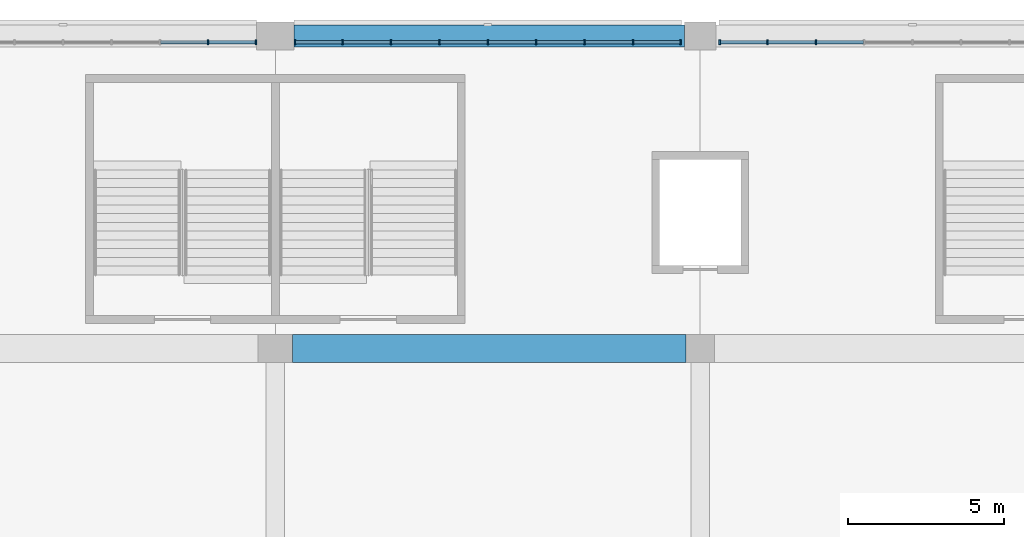
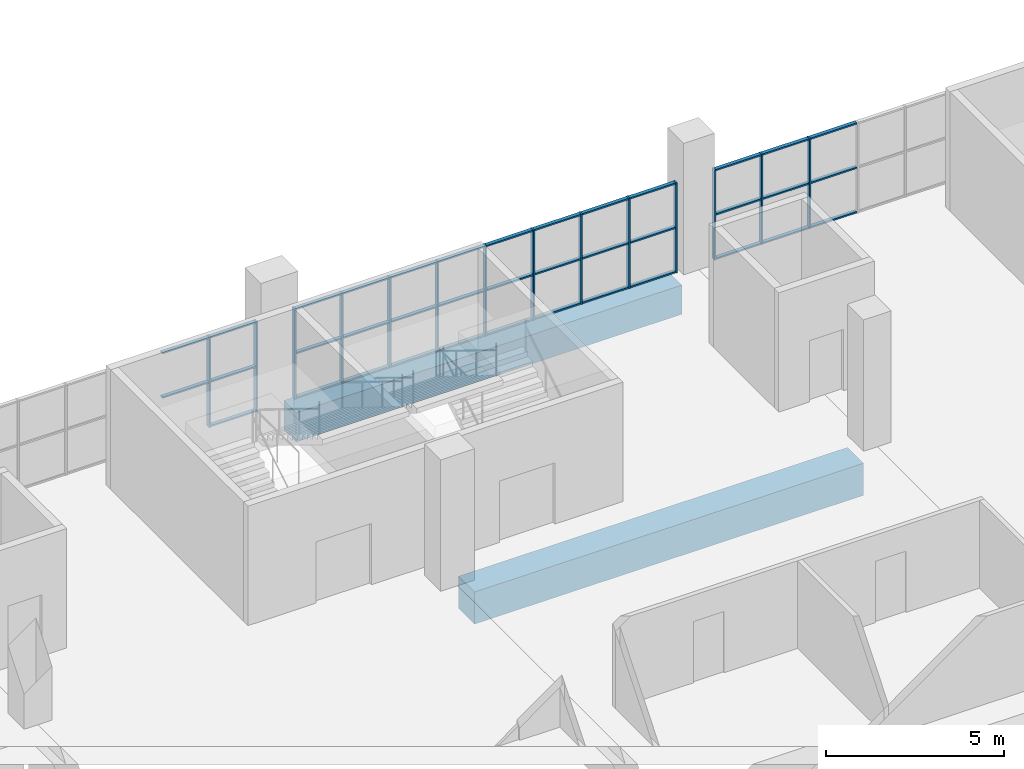
# One storey, part 45 of 199: 52 members, 2 beams, 3 elements without a shape of their own.
"""IFC4 building model written with IfcOpenShell, lengths in metres."""

from ifc_helpers import new_model, si_unit, direction, frame, origin, origin_2d, place, context, subcontext, project, spatial, rectangle, extrude, material, material_profile, profile_set, type_object, element, aggregate, save


model = new_model("IFC4")

# Units and contexts
model_context = context("Model", 3, precision=1e-05, world=origin(), true_north=direction((0.0, 1.0)))
body_context = subcontext(model_context, "Body", "Model", "MODEL_VIEW")
ifc_project = project(units=[si_unit("LENGTHUNIT", "METRE"), si_unit("AREAUNIT", "SQUARE_METRE"), si_unit("VOLUMEUNIT", "CUBIC_METRE"), si_unit("PLANEANGLEUNIT", "RADIAN"), si_unit("MASSUNIT", "GRAM", prefix="KILO")], contexts=[model_context])

# Site, building, storey
site_placement = place(None, origin())
site = spatial("IfcSite", under=ifc_project, at=site_placement, CompositionType="ELEMENT")
building_placement = place(site_placement, origin())
building = spatial("IfcBuilding", under=site, at=building_placement, Name="Ogive Plaza Stadium", CompositionType="ELEMENT")
storey_placement = place(building_placement, frame((0.0, 0.0, 4.5)))
storey = spatial("IfcBuildingStorey", under=building, at=storey_placement, Name="L01", CompositionType="ELEMENT", Elevation=4.5)

# Curtain wall, members
ifc_material_1 = material(Name="Bronze-anodised aluminium with laminated glass", Category="aluminium")
curtain_wall_type = type_object("IfcCurtainWallType", Name="Lancet curtain wall", PredefinedType="NOTDEFINED", material=ifc_material_1)
curtain_wall_1_placement = place(storey_placement, origin())
curtain_wall_1 = element("IfcCurtainWall", 1, at=curtain_wall_1_placement, inside=storey, type_object=curtain_wall_type, Name="CURTAIN WALL B33 L01", PredefinedType="NOTDEFINED")
ifc_material_2 = material(Name="Bronze-anodised aluminium", Category="aluminium")
ifc_material_profile_1 = material_profile(ifc_material_2, rectangle(XDim=0.14990234375, YDim=0.050048828125, at=origin_2d()), Name="AL 150x50")
ifc_profile_set_1 = profile_set([ifc_material_profile_1], Name="Bronze-anodised aluminium")
member_type_1 = type_object("IfcMemberType", Name="Curtain wall mullion 50x150", PredefinedType="MULLION", material=ifc_profile_set_1)
member_1_placement = place(storey_placement, frame((-8.949951171875, 102.300048828125, 0.0), z_axis=(0.0, 0.0, 1.0), x_axis=(0.0, 1.0, 0.0)))
member_1 = element("IfcMember", 2, at=member_1_placement, type_object=member_type_1, Name="CW-B33-L01 mullion 8", PredefinedType="MULLION", context=body_context, shape_type="SweptSolid", body=[
    extrude(rectangle(XDim=0.14990234375, YDim=0.050048828125, at=origin_2d()), origin(), (0.0, 0.0, 1.0), 3.090087890625),
])
member_2_placement = place(storey_placement, frame((-7.425048828125, 102.300048828125, 0.0), z_axis=(0.0, 0.0, 1.0), x_axis=(0.0, 1.0, 0.0)))
member_2 = element("IfcMember", 3, at=member_2_placement, type_object=member_type_1, Name="CW-B33-L01 mullion 9", PredefinedType="MULLION", context=body_context, shape_type="SweptSolid", body=[
    extrude(rectangle(XDim=0.14990234375, YDim=0.050048828125, at=origin_2d()), origin(), (0.0, 0.0, 1.0), 3.090087890625),
])

curtain_wall_2_placement = place(storey_placement, origin())
curtain_wall_2 = element("IfcCurtainWall", 4, at=curtain_wall_2_placement, inside=storey, type_object=curtain_wall_type, Name="CURTAIN WALL B34 L01", PredefinedType="NOTDEFINED")
member_3_placement = place(storey_placement, frame((-6.175048828125, 102.300048828125, 0.0), z_axis=(0.0, 0.0, 1.0), x_axis=(0.0, 1.0, 0.0)))
member_3 = element("IfcMember", 5, at=member_3_placement, type_object=member_type_1, Name="CW-B34-L01 mullion 1", PredefinedType="MULLION", context=body_context, shape_type="SweptSolid", body=[
    extrude(rectangle(XDim=0.14990234375, YDim=0.050048828125, at=origin_2d()), origin(), (0.0, 0.0, 1.0), 3.090087890625),
])
member_4_placement = place(storey_placement, frame((-4.64990234375, 102.300048828125, 0.0), z_axis=(0.0, 0.0, 1.0), x_axis=(0.0, 1.0, 0.0)))
member_4 = element("IfcMember", 6, at=member_4_placement, type_object=member_type_1, Name="CW-B34-L01 mullion 2", PredefinedType="MULLION", context=body_context, shape_type="SweptSolid", body=[
    extrude(rectangle(XDim=0.14990234375, YDim=0.050048828125, at=origin_2d()), origin(), (0.0, 0.0, 1.0), 3.090087890625),
])
member_5_placement = place(storey_placement, frame((-3.10009765625, 102.300048828125, 0.0), z_axis=(0.0, 0.0, 1.0), x_axis=(0.0, 1.0, 0.0)))
member_5 = element("IfcMember", 7, at=member_5_placement, type_object=member_type_1, Name="CW-B34-L01 mullion 3", PredefinedType="MULLION", context=body_context, shape_type="SweptSolid", body=[
    extrude(rectangle(XDim=0.14990234375, YDim=0.050048828125, at=origin_2d()), origin(), (0.0, 0.0, 1.0), 3.090087890625),
])
member_6_placement = place(storey_placement, frame((-1.550048828125, 102.300048828125, 0.0), z_axis=(0.0, 0.0, 1.0), x_axis=(0.0, 1.0, 0.0)))
member_6 = element("IfcMember", 8, at=member_6_placement, type_object=member_type_1, Name="CW-B34-L01 mullion 4", PredefinedType="MULLION", context=body_context, shape_type="SweptSolid", body=[
    extrude(rectangle(XDim=0.14990234375, YDim=0.050048828125, at=origin_2d()), origin(), (0.0, 0.0, 1.0), 3.090087890625),
])
member_7_placement = place(storey_placement, frame((0.0, 102.300048828125, 0.0), z_axis=(0.0, 0.0, 1.0), x_axis=(0.0, 1.0, 0.0)))
member_7 = element("IfcMember", 9, at=member_7_placement, type_object=member_type_1, Name="CW-B34-L01 mullion 5", PredefinedType="MULLION", context=body_context, shape_type="SweptSolid", body=[
    extrude(rectangle(XDim=0.14990234375, YDim=0.050048828125, at=origin_2d()), origin(), (0.0, 0.0, 1.0), 3.090087890625),
])
member_8_placement = place(storey_placement, frame((1.550048828125, 102.300048828125, 0.0), z_axis=(0.0, 0.0, 1.0), x_axis=(0.0, 1.0, 0.0)))
member_8 = element("IfcMember", 10, at=member_8_placement, type_object=member_type_1, Name="CW-B34-L01 mullion 6", PredefinedType="MULLION", context=body_context, shape_type="SweptSolid", body=[
    extrude(rectangle(XDim=0.14990234375, YDim=0.050048828125, at=origin_2d()), origin(), (0.0, 0.0, 1.0), 3.090087890625),
])
member_9_placement = place(storey_placement, frame((3.10009765625, 102.300048828125, 0.0), z_axis=(0.0, 0.0, 1.0), x_axis=(0.0, 1.0, 0.0)))
member_9 = element("IfcMember", 11, at=member_9_placement, type_object=member_type_1, Name="CW-B34-L01 mullion 7", PredefinedType="MULLION", context=body_context, shape_type="SweptSolid", body=[
    extrude(rectangle(XDim=0.14990234375, YDim=0.050048828125, at=origin_2d()), origin(), (0.0, 0.0, 1.0), 3.090087890625),
])
member_10_placement = place(storey_placement, frame((4.64990234375, 102.300048828125, 0.0), z_axis=(0.0, 0.0, 1.0), x_axis=(0.0, 1.0, 0.0)))
member_10 = element("IfcMember", 12, at=member_10_placement, type_object=member_type_1, Name="CW-B34-L01 mullion 8", PredefinedType="MULLION", context=body_context, shape_type="SweptSolid", body=[
    extrude(rectangle(XDim=0.14990234375, YDim=0.050048828125, at=origin_2d()), origin(), (0.0, 0.0, 1.0), 3.090087890625),
])
member_11_placement = place(storey_placement, frame((6.175048828125, 102.300048828125, 0.0), z_axis=(0.0, 0.0, 1.0), x_axis=(0.0, 1.0, 0.0)))
member_11 = element("IfcMember", 13, at=member_11_placement, type_object=member_type_1, Name="CW-B34-L01 mullion 9", PredefinedType="MULLION", context=body_context, shape_type="SweptSolid", body=[
    extrude(rectangle(XDim=0.14990234375, YDim=0.050048828125, at=origin_2d()), origin(), (0.0, 0.0, 1.0), 3.090087890625),
])

curtain_wall_3_placement = place(storey_placement, origin())
curtain_wall_3 = element("IfcCurtainWall", 14, at=curtain_wall_3_placement, inside=storey, type_object=curtain_wall_type, Name="CURTAIN WALL B35 L01", PredefinedType="NOTDEFINED")
member_12_placement = place(storey_placement, frame((7.425048828125, 102.300048828125, 0.0), z_axis=(0.0, 0.0, 1.0), x_axis=(0.0, 1.0, 0.0)))
member_12 = element("IfcMember", 15, at=member_12_placement, type_object=member_type_1, Name="CW-B35-L01 mullion 1", PredefinedType="MULLION", context=body_context, shape_type="SweptSolid", body=[
    extrude(rectangle(XDim=0.14990234375, YDim=0.050048828125, at=origin_2d()), origin(), (0.0, 0.0, 1.0), 3.090087890625),
])
member_13_placement = place(storey_placement, frame((8.949951171875, 102.300048828125, 0.0), z_axis=(0.0, 0.0, 1.0), x_axis=(0.0, 1.0, 0.0)))
member_13 = element("IfcMember", 16, at=member_13_placement, type_object=member_type_1, Name="CW-B35-L01 mullion 2", PredefinedType="MULLION", context=body_context, shape_type="SweptSolid", body=[
    extrude(rectangle(XDim=0.14990234375, YDim=0.050048828125, at=origin_2d()), origin(), (0.0, 0.0, 1.0), 3.090087890625),
])
member_14_placement = place(storey_placement, frame((10.5, 102.300048828125, 0.0), z_axis=(0.0, 0.0, 1.0), x_axis=(0.0, 1.0, 0.0)))
member_14 = element("IfcMember", 17, at=member_14_placement, type_object=member_type_1, Name="CW-B35-L01 mullion 3", PredefinedType="MULLION", context=body_context, shape_type="SweptSolid", body=[
    extrude(rectangle(XDim=0.14990234375, YDim=0.050048828125, at=origin_2d()), origin(), (0.0, 0.0, 1.0), 3.090087890625),
])

# Member
ifc_material_3 = material(Name="Bronze-anodised aluminium", Category="aluminium")
ifc_material_profile_2 = material_profile(ifc_material_3, rectangle(XDim=0.1201171875, YDim=0.050048828125, at=origin_2d()), Name="AL 120x50")
ifc_profile_set_2 = profile_set([ifc_material_profile_2], Name="Bronze-anodised aluminium")
member_type_2 = type_object("IfcMemberType", Name="Curtain wall transom 50x120", PredefinedType="USERDEFINED", material=ifc_profile_set_2)
member_15_placement = place(storey_placement, frame((-10.47509765625, 102.300048828125, 1.544921875), z_axis=(1.0, 0.0, 0.0), x_axis=(0.0, 1.0, 0.0)))
member_15 = element("IfcMember", 18, at=member_15_placement, type_object=member_type_2, Name="CW-B33-L01 transom 7.2", ObjectType="TRANSOM", PredefinedType="USERDEFINED", context=body_context, shape_type="SweptSolid", body=[
    extrude(rectangle(XDim=0.1201171875, YDim=0.050048828125, at=origin_2d()), origin(), (0.0, 0.0, 1.0), 1.5),
])

member_16_placement = place(storey_placement, frame((-10.47509765625, 102.300048828125, 3.06494140625), z_axis=(1.0, 0.0, 0.0), x_axis=(0.0, 1.0, 0.0)))
member_16 = element("IfcMember", 19, at=member_16_placement, type_object=member_type_2, Name="CW-B33-L01 transom 7.3", ObjectType="TRANSOM", PredefinedType="USERDEFINED", context=body_context, shape_type="SweptSolid", body=[
    extrude(rectangle(XDim=0.1201171875, YDim=0.050048828125, at=origin_2d()), origin(), (0.0, 0.0, 1.0), 1.5),
])

member_17_placement = place(storey_placement, frame((-8.925048828125, 102.300048828125, 0.02490234375), z_axis=(1.0, 0.0, 0.0), x_axis=(0.0, 1.0, 0.0)))
member_17 = element("IfcMember", 20, at=member_17_placement, type_object=member_type_2, Name="CW-B33-L01 transom 8.1", ObjectType="TRANSOM", PredefinedType="USERDEFINED", context=body_context, shape_type="SweptSolid", body=[
    extrude(rectangle(XDim=0.1201171875, YDim=0.050048828125, at=origin_2d()), origin(), (0.0, 0.0, 1.0), 1.47509765625),
])

member_18_placement = place(storey_placement, frame((-8.925048828125, 102.300048828125, 1.544921875), z_axis=(1.0, 0.0, 0.0), x_axis=(0.0, 1.0, 0.0)))
member_18 = element("IfcMember", 21, at=member_18_placement, type_object=member_type_2, Name="CW-B33-L01 transom 8.2", ObjectType="TRANSOM", PredefinedType="USERDEFINED", context=body_context, shape_type="SweptSolid", body=[
    extrude(rectangle(XDim=0.1201171875, YDim=0.050048828125, at=origin_2d()), origin(), (0.0, 0.0, 1.0), 1.47509765625),
])

member_19_placement = place(storey_placement, frame((-8.925048828125, 102.300048828125, 3.06494140625), z_axis=(1.0, 0.0, 0.0), x_axis=(0.0, 1.0, 0.0)))
member_19 = element("IfcMember", 22, at=member_19_placement, type_object=member_type_2, Name="CW-B33-L01 transom 8.3", ObjectType="TRANSOM", PredefinedType="USERDEFINED", context=body_context, shape_type="SweptSolid", body=[
    extrude(rectangle(XDim=0.1201171875, YDim=0.050048828125, at=origin_2d()), origin(), (0.0, 0.0, 1.0), 1.47509765625),
])

aggregate(curtain_wall_1, [member_1, member_2, member_15, member_16, member_17, member_18, member_19])

member_20_placement = place(storey_placement, frame((-6.14990234375, 102.300048828125, 0.02490234375), z_axis=(1.0, 0.0, 0.0), x_axis=(0.0, 1.0, 0.0)))
member_20 = element("IfcMember", 23, at=member_20_placement, type_object=member_type_2, Name="CW-B34-L01 transom 1.1", ObjectType="TRANSOM", PredefinedType="USERDEFINED", context=body_context, shape_type="SweptSolid", body=[
    extrude(rectangle(XDim=0.1201171875, YDim=0.050048828125, at=origin_2d()), origin(), (0.0, 0.0, 1.0), 1.474853515625),
])

member_21_placement = place(storey_placement, frame((-6.14990234375, 102.300048828125, 1.544921875), z_axis=(1.0, 0.0, 0.0), x_axis=(0.0, 1.0, 0.0)))
member_21 = element("IfcMember", 24, at=member_21_placement, type_object=member_type_2, Name="CW-B34-L01 transom 1.2", ObjectType="TRANSOM", PredefinedType="USERDEFINED", context=body_context, shape_type="SweptSolid", body=[
    extrude(rectangle(XDim=0.1201171875, YDim=0.050048828125, at=origin_2d()), origin(), (0.0, 0.0, 1.0), 1.474853515625),
])

member_22_placement = place(storey_placement, frame((-6.14990234375, 102.300048828125, 3.06494140625), z_axis=(1.0, 0.0, 0.0), x_axis=(0.0, 1.0, 0.0)))
member_22 = element("IfcMember", 25, at=member_22_placement, type_object=member_type_2, Name="CW-B34-L01 transom 1.3", ObjectType="TRANSOM", PredefinedType="USERDEFINED", context=body_context, shape_type="SweptSolid", body=[
    extrude(rectangle(XDim=0.1201171875, YDim=0.050048828125, at=origin_2d()), origin(), (0.0, 0.0, 1.0), 1.474853515625),
])

member_23_placement = place(storey_placement, frame((-4.625, 102.300048828125, 0.02490234375), z_axis=(1.0, 0.0, 0.0), x_axis=(0.0, 1.0, 0.0)))
member_23 = element("IfcMember", 26, at=member_23_placement, type_object=member_type_2, Name="CW-B34-L01 transom 2.1", ObjectType="TRANSOM", PredefinedType="USERDEFINED", context=body_context, shape_type="SweptSolid", body=[
    extrude(rectangle(XDim=0.1201171875, YDim=0.050048828125, at=origin_2d()), origin(), (0.0, 0.0, 1.0), 1.5),
])

member_24_placement = place(storey_placement, frame((-4.625, 102.300048828125, 1.544921875), z_axis=(1.0, 0.0, 0.0), x_axis=(0.0, 1.0, 0.0)))
member_24 = element("IfcMember", 27, at=member_24_placement, type_object=member_type_2, Name="CW-B34-L01 transom 2.2", ObjectType="TRANSOM", PredefinedType="USERDEFINED", context=body_context, shape_type="SweptSolid", body=[
    extrude(rectangle(XDim=0.1201171875, YDim=0.050048828125, at=origin_2d()), origin(), (0.0, 0.0, 1.0), 1.5),
])

member_25_placement = place(storey_placement, frame((-4.625, 102.300048828125, 3.06494140625), z_axis=(1.0, 0.0, 0.0), x_axis=(0.0, 1.0, 0.0)))
member_25 = element("IfcMember", 28, at=member_25_placement, type_object=member_type_2, Name="CW-B34-L01 transom 2.3", ObjectType="TRANSOM", PredefinedType="USERDEFINED", context=body_context, shape_type="SweptSolid", body=[
    extrude(rectangle(XDim=0.1201171875, YDim=0.050048828125, at=origin_2d()), origin(), (0.0, 0.0, 1.0), 1.5),
])

member_26_placement = place(storey_placement, frame((-3.074951171875, 102.300048828125, 0.02490234375), z_axis=(1.0, 0.0, 0.0), x_axis=(0.0, 1.0, 0.0)))
member_26 = element("IfcMember", 29, at=member_26_placement, type_object=member_type_2, Name="CW-B34-L01 transom 3.1", ObjectType="TRANSOM", PredefinedType="USERDEFINED", context=body_context, shape_type="SweptSolid", body=[
    extrude(rectangle(XDim=0.1201171875, YDim=0.050048828125, at=origin_2d()), origin(), (0.0, 0.0, 1.0), 1.5),
])

member_27_placement = place(storey_placement, frame((-3.074951171875, 102.300048828125, 1.544921875), z_axis=(1.0, 0.0, 0.0), x_axis=(0.0, 1.0, 0.0)))
member_27 = element("IfcMember", 30, at=member_27_placement, type_object=member_type_2, Name="CW-B34-L01 transom 3.2", ObjectType="TRANSOM", PredefinedType="USERDEFINED", context=body_context, shape_type="SweptSolid", body=[
    extrude(rectangle(XDim=0.1201171875, YDim=0.050048828125, at=origin_2d()), origin(), (0.0, 0.0, 1.0), 1.5),
])

member_28_placement = place(storey_placement, frame((-3.074951171875, 102.300048828125, 3.06494140625), z_axis=(1.0, 0.0, 0.0), x_axis=(0.0, 1.0, 0.0)))
member_28 = element("IfcMember", 31, at=member_28_placement, type_object=member_type_2, Name="CW-B34-L01 transom 3.3", ObjectType="TRANSOM", PredefinedType="USERDEFINED", context=body_context, shape_type="SweptSolid", body=[
    extrude(rectangle(XDim=0.1201171875, YDim=0.050048828125, at=origin_2d()), origin(), (0.0, 0.0, 1.0), 1.5),
])

member_29_placement = place(storey_placement, frame((-1.52490234375, 102.300048828125, 0.02490234375), z_axis=(1.0, 0.0, 0.0), x_axis=(0.0, 1.0, 0.0)))
member_29 = element("IfcMember", 32, at=member_29_placement, type_object=member_type_2, Name="CW-B34-L01 transom 4.1", ObjectType="TRANSOM", PredefinedType="USERDEFINED", context=body_context, shape_type="SweptSolid", body=[
    extrude(rectangle(XDim=0.1201171875, YDim=0.050048828125, at=origin_2d()), origin(), (0.0, 0.0, 1.0), 1.5),
])

member_30_placement = place(storey_placement, frame((-1.52490234375, 102.300048828125, 1.544921875), z_axis=(1.0, 0.0, 0.0), x_axis=(0.0, 1.0, 0.0)))
member_30 = element("IfcMember", 33, at=member_30_placement, type_object=member_type_2, Name="CW-B34-L01 transom 4.2", ObjectType="TRANSOM", PredefinedType="USERDEFINED", context=body_context, shape_type="SweptSolid", body=[
    extrude(rectangle(XDim=0.1201171875, YDim=0.050048828125, at=origin_2d()), origin(), (0.0, 0.0, 1.0), 1.5),
])

member_31_placement = place(storey_placement, frame((-1.52490234375, 102.300048828125, 3.06494140625), z_axis=(1.0, 0.0, 0.0), x_axis=(0.0, 1.0, 0.0)))
member_31 = element("IfcMember", 34, at=member_31_placement, type_object=member_type_2, Name="CW-B34-L01 transom 4.3", ObjectType="TRANSOM", PredefinedType="USERDEFINED", context=body_context, shape_type="SweptSolid", body=[
    extrude(rectangle(XDim=0.1201171875, YDim=0.050048828125, at=origin_2d()), origin(), (0.0, 0.0, 1.0), 1.5),
])

member_32_placement = place(storey_placement, frame((0.02490234375, 102.300048828125, 0.02490234375), z_axis=(1.0, 0.0, 0.0), x_axis=(0.0, 1.0, 0.0)))
member_32 = element("IfcMember", 35, at=member_32_placement, type_object=member_type_2, Name="CW-B34-L01 transom 5.1", ObjectType="TRANSOM", PredefinedType="USERDEFINED", context=body_context, shape_type="SweptSolid", body=[
    extrude(rectangle(XDim=0.1201171875, YDim=0.050048828125, at=origin_2d()), origin(), (0.0, 0.0, 1.0), 1.5),
])

member_33_placement = place(storey_placement, frame((0.02490234375, 102.300048828125, 1.544921875), z_axis=(1.0, 0.0, 0.0), x_axis=(0.0, 1.0, 0.0)))
member_33 = element("IfcMember", 36, at=member_33_placement, type_object=member_type_2, Name="CW-B34-L01 transom 5.2", ObjectType="TRANSOM", PredefinedType="USERDEFINED", context=body_context, shape_type="SweptSolid", body=[
    extrude(rectangle(XDim=0.1201171875, YDim=0.050048828125, at=origin_2d()), origin(), (0.0, 0.0, 1.0), 1.5),
])

member_34_placement = place(storey_placement, frame((0.02490234375, 102.300048828125, 3.06494140625), z_axis=(1.0, 0.0, 0.0), x_axis=(0.0, 1.0, 0.0)))
member_34 = element("IfcMember", 37, at=member_34_placement, type_object=member_type_2, Name="CW-B34-L01 transom 5.3", ObjectType="TRANSOM", PredefinedType="USERDEFINED", context=body_context, shape_type="SweptSolid", body=[
    extrude(rectangle(XDim=0.1201171875, YDim=0.050048828125, at=origin_2d()), origin(), (0.0, 0.0, 1.0), 1.5),
])

member_35_placement = place(storey_placement, frame((1.574951171875, 102.300048828125, 0.02490234375), z_axis=(1.0, 0.0, 0.0), x_axis=(0.0, 1.0, 0.0)))
member_35 = element("IfcMember", 38, at=member_35_placement, type_object=member_type_2, Name="CW-B34-L01 transom 6.1", ObjectType="TRANSOM", PredefinedType="USERDEFINED", context=body_context, shape_type="SweptSolid", body=[
    extrude(rectangle(XDim=0.1201171875, YDim=0.050048828125, at=origin_2d()), origin(), (0.0, 0.0, 1.0), 1.5),
])

member_36_placement = place(storey_placement, frame((1.574951171875, 102.300048828125, 1.544921875), z_axis=(1.0, 0.0, 0.0), x_axis=(0.0, 1.0, 0.0)))
member_36 = element("IfcMember", 39, at=member_36_placement, type_object=member_type_2, Name="CW-B34-L01 transom 6.2", ObjectType="TRANSOM", PredefinedType="USERDEFINED", context=body_context, shape_type="SweptSolid", body=[
    extrude(rectangle(XDim=0.1201171875, YDim=0.050048828125, at=origin_2d()), origin(), (0.0, 0.0, 1.0), 1.5),
])

member_37_placement = place(storey_placement, frame((1.574951171875, 102.300048828125, 3.06494140625), z_axis=(1.0, 0.0, 0.0), x_axis=(0.0, 1.0, 0.0)))
member_37 = element("IfcMember", 40, at=member_37_placement, type_object=member_type_2, Name="CW-B34-L01 transom 6.3", ObjectType="TRANSOM", PredefinedType="USERDEFINED", context=body_context, shape_type="SweptSolid", body=[
    extrude(rectangle(XDim=0.1201171875, YDim=0.050048828125, at=origin_2d()), origin(), (0.0, 0.0, 1.0), 1.5),
])

member_38_placement = place(storey_placement, frame((3.125, 102.300048828125, 0.02490234375), z_axis=(1.0, 0.0, 0.0), x_axis=(0.0, 1.0, 0.0)))
member_38 = element("IfcMember", 41, at=member_38_placement, type_object=member_type_2, Name="CW-B34-L01 transom 7.1", ObjectType="TRANSOM", PredefinedType="USERDEFINED", context=body_context, shape_type="SweptSolid", body=[
    extrude(rectangle(XDim=0.1201171875, YDim=0.050048828125, at=origin_2d()), origin(), (0.0, 0.0, 1.0), 1.5),
])

member_39_placement = place(storey_placement, frame((3.125, 102.300048828125, 1.544921875), z_axis=(1.0, 0.0, 0.0), x_axis=(0.0, 1.0, 0.0)))
member_39 = element("IfcMember", 42, at=member_39_placement, type_object=member_type_2, Name="CW-B34-L01 transom 7.2", ObjectType="TRANSOM", PredefinedType="USERDEFINED", context=body_context, shape_type="SweptSolid", body=[
    extrude(rectangle(XDim=0.1201171875, YDim=0.050048828125, at=origin_2d()), origin(), (0.0, 0.0, 1.0), 1.5),
])

member_40_placement = place(storey_placement, frame((3.125, 102.300048828125, 3.06494140625), z_axis=(1.0, 0.0, 0.0), x_axis=(0.0, 1.0, 0.0)))
member_40 = element("IfcMember", 43, at=member_40_placement, type_object=member_type_2, Name="CW-B34-L01 transom 7.3", ObjectType="TRANSOM", PredefinedType="USERDEFINED", context=body_context, shape_type="SweptSolid", body=[
    extrude(rectangle(XDim=0.1201171875, YDim=0.050048828125, at=origin_2d()), origin(), (0.0, 0.0, 1.0), 1.5),
])

member_41_placement = place(storey_placement, frame((4.675048828125, 102.300048828125, 0.02490234375), z_axis=(1.0, 0.0, 0.0), x_axis=(0.0, 1.0, 0.0)))
member_41 = element("IfcMember", 44, at=member_41_placement, type_object=member_type_2, Name="CW-B34-L01 transom 8.1", ObjectType="TRANSOM", PredefinedType="USERDEFINED", context=body_context, shape_type="SweptSolid", body=[
    extrude(rectangle(XDim=0.1201171875, YDim=0.050048828125, at=origin_2d()), origin(), (0.0, 0.0, 1.0), 1.474853515625),
])

member_42_placement = place(storey_placement, frame((4.675048828125, 102.300048828125, 1.544921875), z_axis=(1.0, 0.0, 0.0), x_axis=(0.0, 1.0, 0.0)))
member_42 = element("IfcMember", 45, at=member_42_placement, type_object=member_type_2, Name="CW-B34-L01 transom 8.2", ObjectType="TRANSOM", PredefinedType="USERDEFINED", context=body_context, shape_type="SweptSolid", body=[
    extrude(rectangle(XDim=0.1201171875, YDim=0.050048828125, at=origin_2d()), origin(), (0.0, 0.0, 1.0), 1.474853515625),
])

member_43_placement = place(storey_placement, frame((4.675048828125, 102.300048828125, 3.06494140625), z_axis=(1.0, 0.0, 0.0), x_axis=(0.0, 1.0, 0.0)))
member_43 = element("IfcMember", 46, at=member_43_placement, type_object=member_type_2, Name="CW-B34-L01 transom 8.3", ObjectType="TRANSOM", PredefinedType="USERDEFINED", context=body_context, shape_type="SweptSolid", body=[
    extrude(rectangle(XDim=0.1201171875, YDim=0.050048828125, at=origin_2d()), origin(), (0.0, 0.0, 1.0), 1.474853515625),
])

aggregate(curtain_wall_2, [member_3, member_4, member_5, member_6, member_7, member_8, member_9, member_10, member_11, member_20, member_21, member_22, member_23, member_24, member_25, member_26, member_27, member_28, member_29, member_30, member_31, member_32, member_33, member_34, member_35, member_36, member_37, member_38, member_39, member_40, member_41, member_42, member_43])

member_44_placement = place(storey_placement, frame((7.449951171875, 102.300048828125, 0.02490234375), z_axis=(1.0, 0.0, 0.0), x_axis=(0.0, 1.0, 0.0)))
member_44 = element("IfcMember", 47, at=member_44_placement, type_object=member_type_2, Name="CW-B35-L01 transom 1.1", ObjectType="TRANSOM", PredefinedType="USERDEFINED", context=body_context, shape_type="SweptSolid", body=[
    extrude(rectangle(XDim=0.1201171875, YDim=0.050048828125, at=origin_2d()), origin(), (0.0, 0.0, 1.0), 1.47509765625),
])

member_45_placement = place(storey_placement, frame((7.449951171875, 102.300048828125, 1.544921875), z_axis=(1.0, 0.0, 0.0), x_axis=(0.0, 1.0, 0.0)))
member_45 = element("IfcMember", 48, at=member_45_placement, type_object=member_type_2, Name="CW-B35-L01 transom 1.2", ObjectType="TRANSOM", PredefinedType="USERDEFINED", context=body_context, shape_type="SweptSolid", body=[
    extrude(rectangle(XDim=0.1201171875, YDim=0.050048828125, at=origin_2d()), origin(), (0.0, 0.0, 1.0), 1.47509765625),
])

member_46_placement = place(storey_placement, frame((7.449951171875, 102.300048828125, 3.06494140625), z_axis=(1.0, 0.0, 0.0), x_axis=(0.0, 1.0, 0.0)))
member_46 = element("IfcMember", 49, at=member_46_placement, type_object=member_type_2, Name="CW-B35-L01 transom 1.3", ObjectType="TRANSOM", PredefinedType="USERDEFINED", context=body_context, shape_type="SweptSolid", body=[
    extrude(rectangle(XDim=0.1201171875, YDim=0.050048828125, at=origin_2d()), origin(), (0.0, 0.0, 1.0), 1.47509765625),
])

member_47_placement = place(storey_placement, frame((8.97509765625, 102.300048828125, 0.02490234375), z_axis=(1.0, 0.0, 0.0), x_axis=(0.0, 1.0, 0.0)))
member_47 = element("IfcMember", 50, at=member_47_placement, type_object=member_type_2, Name="CW-B35-L01 transom 2.1", ObjectType="TRANSOM", PredefinedType="USERDEFINED", context=body_context, shape_type="SweptSolid", body=[
    extrude(rectangle(XDim=0.1201171875, YDim=0.050048828125, at=origin_2d()), origin(), (0.0, 0.0, 1.0), 1.5),
])

member_48_placement = place(storey_placement, frame((8.97509765625, 102.300048828125, 1.544921875), z_axis=(1.0, 0.0, 0.0), x_axis=(0.0, 1.0, 0.0)))
member_48 = element("IfcMember", 51, at=member_48_placement, type_object=member_type_2, Name="CW-B35-L01 transom 2.2", ObjectType="TRANSOM", PredefinedType="USERDEFINED", context=body_context, shape_type="SweptSolid", body=[
    extrude(rectangle(XDim=0.1201171875, YDim=0.050048828125, at=origin_2d()), origin(), (0.0, 0.0, 1.0), 1.5),
])

member_49_placement = place(storey_placement, frame((8.97509765625, 102.300048828125, 3.06494140625), z_axis=(1.0, 0.0, 0.0), x_axis=(0.0, 1.0, 0.0)))
member_49 = element("IfcMember", 52, at=member_49_placement, type_object=member_type_2, Name="CW-B35-L01 transom 2.3", ObjectType="TRANSOM", PredefinedType="USERDEFINED", context=body_context, shape_type="SweptSolid", body=[
    extrude(rectangle(XDim=0.1201171875, YDim=0.050048828125, at=origin_2d()), origin(), (0.0, 0.0, 1.0), 1.5),
])

member_50_placement = place(storey_placement, frame((10.52490234375, 102.300048828125, 0.02490234375), z_axis=(1.0, 0.0, 0.0), x_axis=(0.0, 1.0, 0.0)))
member_50 = element("IfcMember", 53, at=member_50_placement, type_object=member_type_2, Name="CW-B35-L01 transom 3.1", ObjectType="TRANSOM", PredefinedType="USERDEFINED", context=body_context, shape_type="SweptSolid", body=[
    extrude(rectangle(XDim=0.1201171875, YDim=0.050048828125, at=origin_2d()), origin(), (0.0, 0.0, 1.0), 1.5),
])

member_51_placement = place(storey_placement, frame((10.52490234375, 102.300048828125, 1.544921875), z_axis=(1.0, 0.0, 0.0), x_axis=(0.0, 1.0, 0.0)))
member_51 = element("IfcMember", 54, at=member_51_placement, type_object=member_type_2, Name="CW-B35-L01 transom 3.2", ObjectType="TRANSOM", PredefinedType="USERDEFINED", context=body_context, shape_type="SweptSolid", body=[
    extrude(rectangle(XDim=0.1201171875, YDim=0.050048828125, at=origin_2d()), origin(), (0.0, 0.0, 1.0), 1.5),
])

member_52_placement = place(storey_placement, frame((10.52490234375, 102.300048828125, 3.06494140625), z_axis=(1.0, 0.0, 0.0), x_axis=(0.0, 1.0, 0.0)))
member_52 = element("IfcMember", 55, at=member_52_placement, type_object=member_type_2, Name="CW-B35-L01 transom 3.3", ObjectType="TRANSOM", PredefinedType="USERDEFINED", context=body_context, shape_type="SweptSolid", body=[
    extrude(rectangle(XDim=0.1201171875, YDim=0.050048828125, at=origin_2d()), origin(), (0.0, 0.0, 1.0), 1.5),
])

aggregate(curtain_wall_3, [member_12, member_13, member_14, member_44, member_45, member_46, member_47, member_48, member_49, member_50, member_51, member_52])

# Beams
ifc_material_4 = material(Name="Concrete C40/50", Category="concrete")
ifc_material_profile_3 = material_profile(ifc_material_4, rectangle(XDim=0.89990234375, YDim=1.10009765625, at=origin_2d()), Name="RC 900x1100")
ifc_profile_set_3 = profile_set([ifc_material_profile_3], Name="Concrete C40/50")
beam_type_1 = type_object("IfcBeamType", Name="RC ring beam 900x1100", PredefinedType="BEAM", material=ifc_profile_set_3)
beam_1_placement = place(storey_placement, frame((-6.25, 92.5, -0.9599609375), z_axis=(1.0, 0.0, 0.0), x_axis=(0.0, 1.0, 0.0)))
element("IfcBeam", 56, at=beam_1_placement, inside=storey, type_object=beam_type_1, Name="Ring beam F4 L01 B34", PredefinedType="BEAM", context=body_context, shape_type="SweptSolid", body=[
    extrude(rectangle(XDim=0.89990234375, YDim=1.10009765625, at=origin_2d()), origin(), (0.0, 0.0, 1.0), 12.60009765625),
])
ifc_material_5 = material(Name="Concrete C40/50", Category="concrete")
ifc_material_profile_4 = material_profile(ifc_material_5, rectangle(XDim=0.699951171875, YDim=1.0, at=origin_2d()), Name="RC 700x1000")
ifc_profile_set_4 = profile_set([ifc_material_profile_4], Name="Concrete C40/50")
beam_type_2 = type_object("IfcBeamType", Name="RC spandrel beam 700x1000", PredefinedType="SPANDREL", material=ifc_profile_set_4)
beam_2_placement = place(storey_placement, frame((-6.199951171875, 102.5, -0.909912109375), z_axis=(1.0, 0.0, 0.0), x_axis=(0.0, 1.0, 0.0)))
element("IfcBeam", 57, at=beam_2_placement, inside=storey, type_object=beam_type_2, Name="Ring beam F5 L01 B34", PredefinedType="SPANDREL", context=body_context, shape_type="SweptSolid", body=[
    extrude(rectangle(XDim=0.699951171875, YDim=1.0, at=origin_2d()), origin(), (0.0, 0.0, 1.0), 12.5),
])

save(model, "model.ifc")
